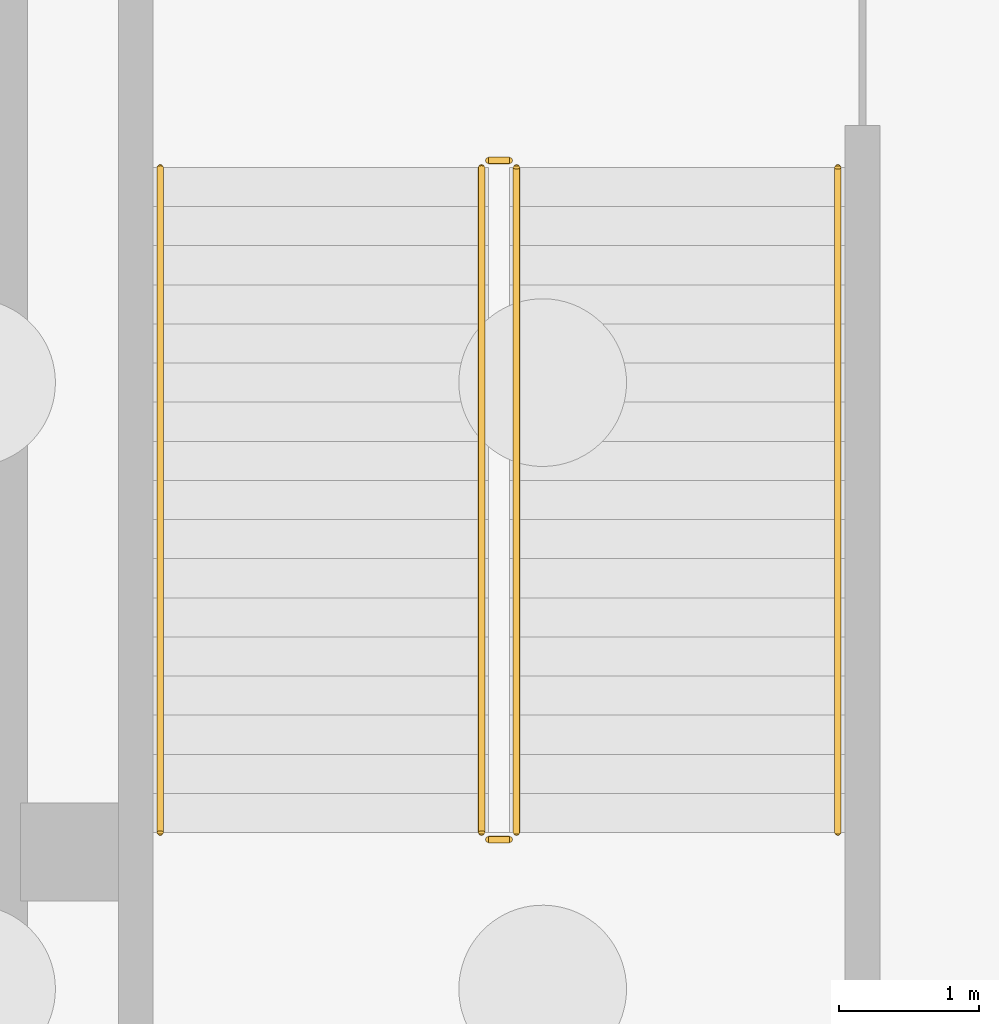
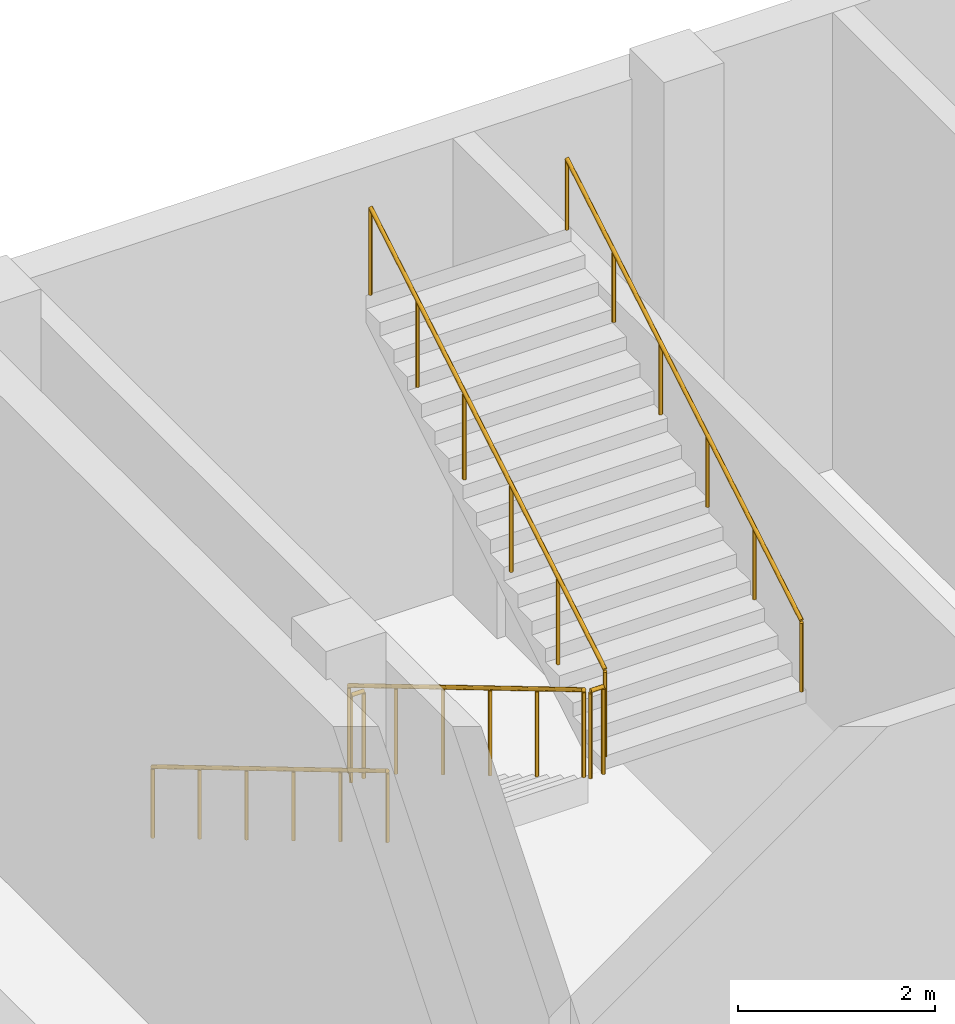
# One storey, part 43 of 45: 6 railings.
"""IFC4 building model written with IfcOpenShell, lengths in metres."""

from ifc_helpers import new_model, si_unit, direction, frame, origin, origin_2d, place, context, subcontext, project, spatial, circle, extrude, material, type_object, element, save


model = new_model("IFC4")

# Units and contexts
model_context = context("Model", 3, precision=1e-05, world=origin(), true_north=direction((0.0, 1.0)))
body_context = subcontext(model_context, "Body", "Model", "MODEL_VIEW")
ifc_project = project(units=[si_unit("LENGTHUNIT", "METRE"), si_unit("AREAUNIT", "SQUARE_METRE"), si_unit("VOLUMEUNIT", "CUBIC_METRE"), si_unit("PLANEANGLEUNIT", "RADIAN"), si_unit("MASSUNIT", "GRAM", prefix="KILO")], contexts=[model_context])

# Site, building, storey
site_placement = place(None, origin())
site = spatial("IfcSite", under=ifc_project, at=site_placement, CompositionType="ELEMENT")
building_placement = place(site_placement, origin())
building = spatial("IfcBuilding", under=site, at=building_placement, Name="Tamorin Gate", CompositionType="ELEMENT")
storey_placement = place(building_placement, frame((0.0, 0.0, -6.0)))
storey = spatial("IfcBuildingStorey", under=building, at=storey_placement, Name="B1", CompositionType="ELEMENT", Elevation=-6.0)

# Railings
ifc_material = material(Name="Steel, galvanised", Category="steel")
railing_type_1 = type_object("IfcRailingType", Name="Steel guard 1100 museum", PredefinedType="GUARDRAIL", material=ifc_material)
railing_1_placement = place(storey_placement, frame((148.64990234375, 95.60009765625, 0.166748046875)))
element("IfcRailing", 1, at=railing_1_placement, inside=storey, type_object=railing_type_1, Name="B1 PS6 stair guard 1", PredefinedType="GUARDRAIL", context=body_context, shape_type="SweptSolid", body=[
    extrude(circle(Radius=0.02392578125, at=origin_2d()), frame((0.0, 0.0, 1.076171875), z_axis=(0.0, -0.859299802514, 0.511472237174), x_axis=(1.0, 0.0, 0.0)), (0.0, 0.0, 1.0), 5.539306640625),
    extrude(circle(Radius=0.02099609375, at=origin_2d()), origin(), (0.0, 0.0, 1.0), 1.052001953125),
    extrude(circle(Radius=0.02099609375, at=origin_2d()), frame((0.0, -0.951904296875, 0.566650390625)), (0.0, 0.0, 1.0), 1.052001953125),
    extrude(circle(Radius=0.02099609375, at=origin_2d()), frame((0.0, -1.904052734375, 1.13330078125)), (0.0, 0.0, 1.0), 1.052001953125),
    extrude(circle(Radius=0.02099609375, at=origin_2d()), frame((0.0, -2.85595703125, 1.699951171875)), (0.0, 0.0, 1.0), 1.052001953125),
    extrude(circle(Radius=0.02099609375, at=origin_2d()), frame((0.0, -3.80810546875, 2.2666015625)), (0.0, 0.0, 1.0), 1.052001953125),
    extrude(circle(Radius=0.02099609375, at=origin_2d()), frame((0.0, -4.760009765625, 2.833251953125)), (0.0, 0.0, 1.0), 1.052001953125),
])
railing_2_placement = place(storey_placement, frame((148.699951171875, 90.7900390625, 3.0)))
element("IfcRailing", 2, at=railing_2_placement, inside=storey, type_object=railing_type_1, Name="B1 PS6 stair guard 2", PredefinedType="GUARDRAIL", context=body_context, shape_type="SweptSolid", body=[
    extrude(circle(Radius=0.02392578125, at=origin_2d()), frame((0.0, 0.0, 1.076171875), z_axis=(1.0, 0.0, 0.0), x_axis=(0.0, 1.0, 0.0)), (0.0, 0.0, 1.0), 0.150146484375),
    extrude(circle(Radius=0.02099609375, at=origin_2d()), origin(), (0.0, 0.0, 1.0), 1.052001953125),
    extrude(circle(Radius=0.02099609375, at=origin_2d()), frame((0.150146484375, 0.0, 0.0)), (0.0, 0.0, 1.0), 1.052001953125),
])
railing_3_placement = place(storey_placement, frame((148.89990234375, 90.840087890625, 3.166748046875)))
element("IfcRailing", 3, at=railing_3_placement, inside=storey, type_object=railing_type_1, Name="B1 PS6 stair guard 3", PredefinedType="GUARDRAIL", context=body_context, shape_type="SweptSolid", body=[
    extrude(circle(Radius=0.02392578125, at=origin_2d()), frame((0.0, 0.0, 1.076171875), z_axis=(0.0, 0.859299802514, 0.511472237174), x_axis=(-1.0, 0.0, 0.0)), (0.0, 0.0, 1.0), 5.539306640625),
    extrude(circle(Radius=0.02099609375, at=origin_2d()), origin(), (0.0, 0.0, 1.0), 1.052001953125),
    extrude(circle(Radius=0.02099609375, at=origin_2d()), frame((0.0, 0.951904296875, 0.566650390625)), (0.0, 0.0, 1.0), 1.052001953125),
    extrude(circle(Radius=0.02099609375, at=origin_2d()), frame((0.0, 1.904052734375, 1.13330078125)), (0.0, 0.0, 1.0), 1.052001953125),
    extrude(circle(Radius=0.02099609375, at=origin_2d()), frame((0.0, 2.85595703125, 1.699951171875)), (0.0, 0.0, 1.0), 1.052001953125),
    extrude(circle(Radius=0.02099609375, at=origin_2d()), frame((0.0, 3.80810546875, 2.2666015625)), (0.0, 0.0, 1.0), 1.052001953125),
    extrude(circle(Radius=0.02099609375, at=origin_2d()), frame((0.0, 4.760009765625, 2.833251953125)), (0.0, 0.0, 1.0), 1.052001953125),
])
railing_4_placement = place(storey_placement, frame((148.699951171875, 95.64990234375, 0.0)))
element("IfcRailing", 4, at=railing_4_placement, inside=storey, type_object=railing_type_1, Name="B1 PS6 stair guard 4", PredefinedType="GUARDRAIL", context=body_context, shape_type="SweptSolid", body=[
    extrude(circle(Radius=0.02392578125, at=origin_2d()), frame((0.0, 0.0, 1.076171875), z_axis=(1.0, 0.0, 0.0), x_axis=(0.0, 1.0, 0.0)), (0.0, 0.0, 1.0), 0.150146484375),
    extrude(circle(Radius=0.02099609375, at=origin_2d()), origin(), (0.0, 0.0, 1.0), 1.052001953125),
    extrude(circle(Radius=0.02099609375, at=origin_2d()), frame((0.150146484375, 0.0, 0.0)), (0.0, 0.0, 1.0), 1.052001953125),
])
railing_type_2 = type_object("IfcRailingType", Name="Steel handrail 900 museum", PredefinedType="HANDRAIL", material=ifc_material)
railing_5_placement = place(storey_placement, frame((146.35009765625, 95.60009765625, 0.166748046875)))
element("IfcRailing", 5, at=railing_5_placement, inside=storey, type_object=railing_type_2, Name="B1 PS6 stair handrail 1", PredefinedType="HANDRAIL", context=body_context, shape_type="SweptSolid", body=[
    extrude(circle(Radius=0.02392578125, at=origin_2d()), frame((0.0, 0.0, 0.8759765625), z_axis=(0.0, -0.859299802514, 0.511472237174), x_axis=(1.0, 0.0, 0.0)), (0.0, 0.0, 1.0), 5.539306640625),
    extrude(circle(Radius=0.02099609375, at=origin_2d()), origin(), (0.0, 0.0, 1.0), 0.851806640625),
    extrude(circle(Radius=0.02099609375, at=origin_2d()), frame((0.0, -0.951904296875, 0.566650390625)), (0.0, 0.0, 1.0), 0.851806640625),
    extrude(circle(Radius=0.02099609375, at=origin_2d()), frame((0.0, -1.904052734375, 1.13330078125)), (0.0, 0.0, 1.0), 0.851806640625),
    extrude(circle(Radius=0.02099609375, at=origin_2d()), frame((0.0, -2.85595703125, 1.699951171875)), (0.0, 0.0, 1.0), 0.851806640625),
    extrude(circle(Radius=0.02099609375, at=origin_2d()), frame((0.0, -3.80810546875, 2.2666015625)), (0.0, 0.0, 1.0), 0.851806640625),
    extrude(circle(Radius=0.02099609375, at=origin_2d()), frame((0.0, -4.760009765625, 2.833251953125)), (0.0, 0.0, 1.0), 0.851806640625),
])
railing_6_placement = place(storey_placement, frame((151.199951171875, 90.840087890625, 3.166748046875)))
element("IfcRailing", 6, at=railing_6_placement, inside=storey, type_object=railing_type_2, Name="B1 PS6 stair handrail 2", PredefinedType="HANDRAIL", context=body_context, shape_type="SweptSolid", body=[
    extrude(circle(Radius=0.02392578125, at=origin_2d()), frame((0.0, 0.0, 0.8759765625), z_axis=(0.0, 0.859299802514, 0.511472237174), x_axis=(-1.0, 0.0, 0.0)), (0.0, 0.0, 1.0), 5.539306640625),
    extrude(circle(Radius=0.02099609375, at=origin_2d()), origin(), (0.0, 0.0, 1.0), 0.851806640625),
    extrude(circle(Radius=0.02099609375, at=origin_2d()), frame((0.0, 0.951904296875, 0.566650390625)), (0.0, 0.0, 1.0), 0.851806640625),
    extrude(circle(Radius=0.02099609375, at=origin_2d()), frame((0.0, 1.904052734375, 1.13330078125)), (0.0, 0.0, 1.0), 0.851806640625),
    extrude(circle(Radius=0.02099609375, at=origin_2d()), frame((0.0, 2.85595703125, 1.699951171875)), (0.0, 0.0, 1.0), 0.851806640625),
    extrude(circle(Radius=0.02099609375, at=origin_2d()), frame((0.0, 3.80810546875, 2.2666015625)), (0.0, 0.0, 1.0), 0.851806640625),
    extrude(circle(Radius=0.02099609375, at=origin_2d()), frame((0.0, 4.760009765625, 2.833251953125)), (0.0, 0.0, 1.0), 0.851806640625),
])

save(model, "model.ifc")
